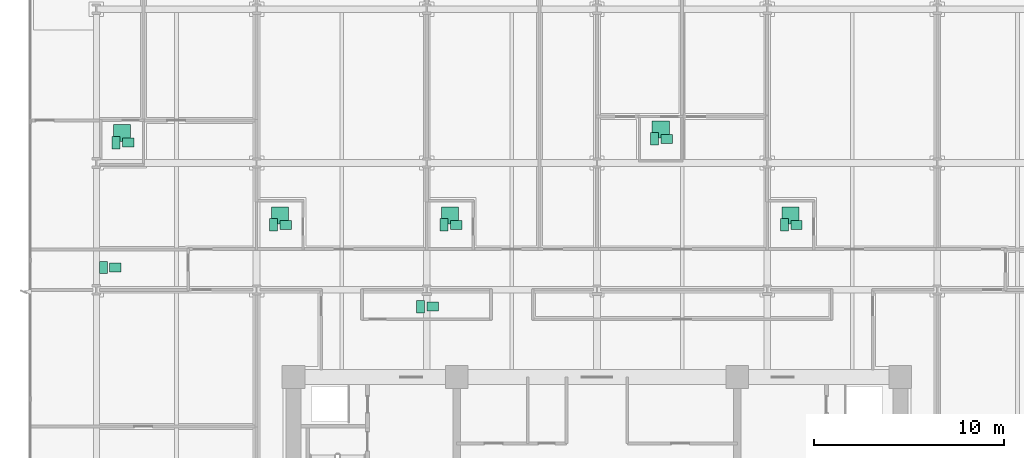
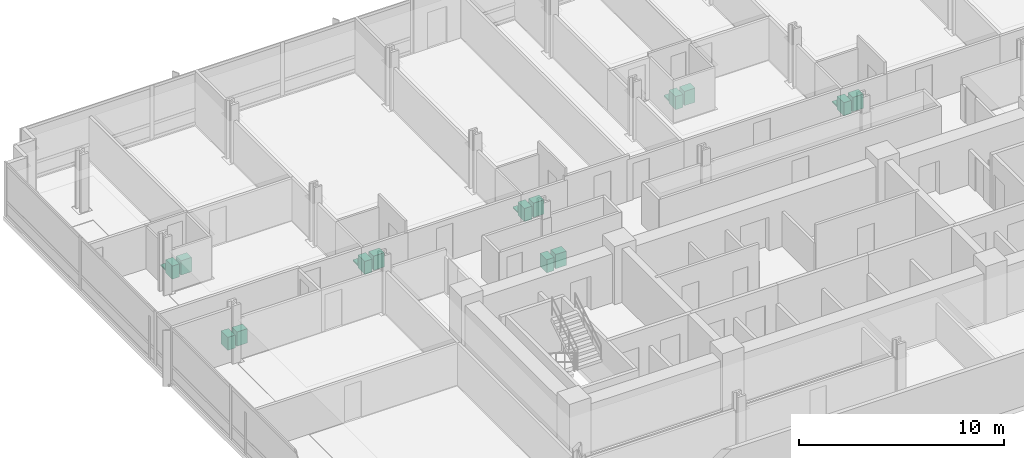
# One storey, part 16 of 16: 19 sanitary terminals.
"""IFC4 building model written with IfcOpenShell, lengths in metres."""

from ifc_helpers import new_model, si_unit, direction, frame, origin, origin_2d, place, context, subcontext, project, spatial, rectangle, extrude, material, type_object, element, save


model = new_model("IFC4")

# Units and contexts
model_context = context("Model", 3, precision=1e-05, world=origin(), true_north=direction((0.0, 1.0)))
body_context = subcontext(model_context, "Body", "Model", "MODEL_VIEW")
ifc_project = project(units=[si_unit("LENGTHUNIT", "METRE"), si_unit("AREAUNIT", "SQUARE_METRE"), si_unit("VOLUMEUNIT", "CUBIC_METRE"), si_unit("PLANEANGLEUNIT", "RADIAN"), si_unit("MASSUNIT", "GRAM", prefix="KILO")], contexts=[model_context])

# Site, building, storey
site_placement = place(None, origin())
site = spatial("IfcSite", under=ifc_project, at=site_placement, CompositionType="ELEMENT")
building_placement = place(site_placement, origin())
building = spatial("IfcBuilding", under=site, at=building_placement, Name="Solmavex Isthmus Hotel", CompositionType="ELEMENT")
storey_placement = place(building_placement, frame((0.0, 0.0, 29.85009765625)))
storey = spatial("IfcBuildingStorey", under=building, at=storey_placement, Name="L07", CompositionType="ELEMENT", Elevation=29.85009765625)

# Sanitary terminals
ifc_material = material(Name="Vitreous china ceramic", Category="ceramic")
sanitary_terminal_type_1 = type_object("IfcSanitaryTerminalType", Name="SAN-BASIN", PredefinedType="WASHHANDBASIN", material=ifc_material)
for number, where, z_axis, x_axis, name in (
    (1, (-24.720947265625, 9.863037109375, -0.000244140625), (0.0, 0.0, 1.0), (1.0, 0.0, 0.0), "Vanity Washbasin L07-21"),
    (2, (-16.406982421875, 5.52490234375, -0.000244140625), (0.0, 0.0, 1.0), (1.0, 0.0, 0.0), "Vanity Washbasin L07-22"),
    (3, (-7.430908203125, 5.52490234375, -0.000244140625), (0.0, 0.0, 1.0), (1.0, 0.0, 0.0), "Vanity Washbasin L07-23"),
    (4, (3.68310546875, 10.06298828125, -0.000244140625), (0.0, 0.0, 1.0), (1.0, 0.0, 0.0), "Vanity Washbasin L07-24"),
    (5, (10.52099609375, 5.52490234375, -0.000244140625), (0.0, 0.0, 1.0), (1.0, 0.0, 0.0), "Vanity Washbasin L07-25"),
    (6, (-8.666015625, 1.21240234375, -0.000244140625), (0.0, 0.0, 1.0), (1.0, 0.0, 0.0), "Vanity Washbasin L07-26"),
    (7, (-25.39599609375, 3.277587890625, -0.000244140625), (0.0, 0.0, 1.0), (1.0, 0.0, 0.0), "Vanity Washbasin L07-27"),
):
    element("IfcSanitaryTerminal", number, at=place(storey_placement, frame(where, z_axis=z_axis, x_axis=x_axis)), inside=storey, type_object=sanitary_terminal_type_1, Name=name, PredefinedType="WASHHANDBASIN", context=body_context, shape_type="SweptSolid", body=[
        extrude(rectangle(XDim=0.60009765625, YDim=0.47998046875, at=origin_2d()), origin(), (0.0, 0.0, 1.0), 0.85009765625),
    ])
sanitary_terminal_type_2 = type_object("IfcSanitaryTerminalType", Name="SAN-SHOWER", PredefinedType="SHOWER", material=ifc_material)
for number, where, z_axis, x_axis, name in (
    (8, (-25.041015625, 10.363037109375, -0.000244140625), (0.0, 0.0, 1.0), (1.0, 0.0, 0.0), "Walk-In Shower L07-21"),
    (9, (-16.72705078125, 6.02490234375, -0.000244140625), (0.0, 0.0, 1.0), (1.0, 0.0, 0.0), "Walk-In Shower L07-22"),
    (10, (-7.7509765625, 6.02490234375, -0.000244140625), (0.0, 0.0, 1.0), (1.0, 0.0, 0.0), "Walk-In Shower L07-23"),
    (11, (3.363037109375, 10.56298828125, -0.000244140625), (0.0, 0.0, 1.0), (1.0, 0.0, 0.0), "Walk-In Shower L07-24"),
    (12, (10.200927734375, 6.02490234375, -0.000244140625), (0.0, 0.0, 1.0), (1.0, 0.0, 0.0), "Walk-In Shower L07-25"),
):
    element("IfcSanitaryTerminal", number, at=place(storey_placement, frame(where, z_axis=z_axis, x_axis=x_axis)), inside=storey, type_object=sanitary_terminal_type_2, Name=name, PredefinedType="SHOWER", context=body_context, shape_type="SweptSolid", body=[
        extrude(rectangle(XDim=0.89990234375, YDim=0.89990234375, at=origin_2d()), origin(), (0.0, 0.0, 1.0), 0.080078125),
    ])
sanitary_terminal_type_3 = type_object("IfcSanitaryTerminalType", Name="SAN-WC-SUITE", PredefinedType="TOILETPAN", material=ifc_material)
for number, where, z_axis, x_axis, name in (
    (13, (-25.361083984375, 9.863037109375, 0.0), (0.0, 0.0, 1.0), (1.0, 0.0, 0.0), "Water Closet L07-21"),
    (14, (-17.047119140625, 5.52490234375, 0.0), (0.0, 0.0, 1.0), (1.0, 0.0, 0.0), "Water Closet L07-22"),
    (15, (-8.071044921875, 5.52490234375, 0.0), (0.0, 0.0, 1.0), (1.0, 0.0, 0.0), "Water Closet L07-23"),
    (16, (3.04296875, 10.06298828125, 0.0), (0.0, 0.0, 1.0), (1.0, 0.0, 0.0), "Water Closet L07-24"),
    (17, (9.881103515625, 5.52490234375, 0.0), (0.0, 0.0, 1.0), (1.0, 0.0, 0.0), "Water Closet L07-25"),
    (18, (-9.305908203125, 1.21240234375, 0.0), (0.0, 0.0, 1.0), (1.0, 0.0, 0.0), "Water Closet L07-26"),
    (19, (-26.035888671875, 3.277587890625, 0.0), (0.0, 0.0, 1.0), (1.0, 0.0, 0.0), "Water Closet L07-27"),
):
    element("IfcSanitaryTerminal", number, at=place(storey_placement, frame(where, z_axis=z_axis, x_axis=x_axis)), inside=storey, type_object=sanitary_terminal_type_3, Name=name, PredefinedType="TOILETPAN", context=body_context, shape_type="SweptSolid", body=[
        extrude(rectangle(XDim=0.419921875, YDim=0.64990234375, at=origin_2d()), origin(), (0.0, 0.0, 1.0), 0.780029296875),
    ])

save(model, "model.ifc")
